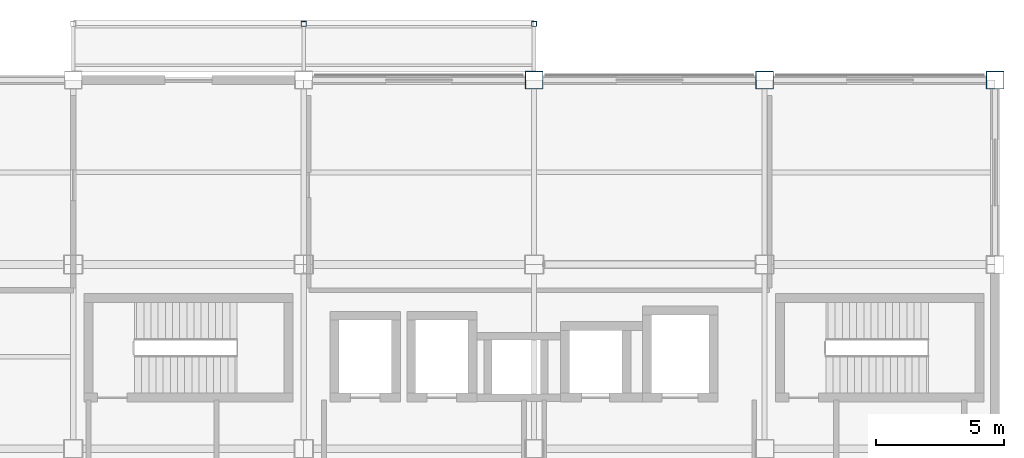
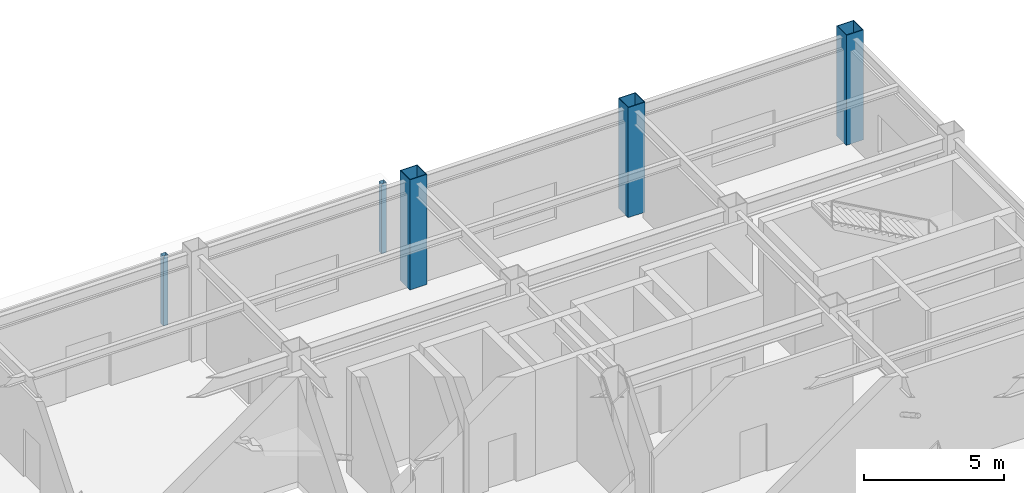
# One storey, part 12 of 112: 5 columns.
"""IFC4 building model written with IfcOpenShell, lengths in metres."""

from ifc_helpers import new_model, si_unit, direction, frame, origin, origin_2d, place, context, subcontext, project, spatial, hollow_rectangle, extrude, material, material_profile, profile_set, type_object, element, save


model = new_model("IFC4")

# Units and contexts
model_context = context("Model", 3, precision=1e-05, world=origin(), true_north=direction((0.0, 1.0)))
body_context = subcontext(model_context, "Body", "Model", "MODEL_VIEW")
ifc_project = project(units=[si_unit("LENGTHUNIT", "METRE"), si_unit("AREAUNIT", "SQUARE_METRE"), si_unit("VOLUMEUNIT", "CUBIC_METRE"), si_unit("PLANEANGLEUNIT", "RADIAN"), si_unit("MASSUNIT", "GRAM", prefix="KILO")], contexts=[model_context])

# Site, building, storey
site_placement = place(None, origin())
site = spatial("IfcSite", under=ifc_project, at=site_placement, CompositionType="ELEMENT")
building_placement = place(site_placement, origin())
building = spatial("IfcBuilding", under=site, at=building_placement, Name="Kazanami Central Library", CompositionType="ELEMENT")
storey_placement = place(building_placement, origin())
storey = spatial("IfcBuildingStorey", under=building, at=storey_placement, Name="L01", CompositionType="ELEMENT", Elevation=0.0)

# Columns
ifc_material_1 = material(Name="Steel BCP325 (325 MPa)", Category="steel")
ifc_material_profile_1 = material_profile(ifc_material_1, hollow_rectangle(XDim=0.699951171875, YDim=0.699951171875, WallThickness=0.028076171875, at=origin_2d()), Name="BCP-700x700x28")
ifc_profile_set_1 = profile_set([ifc_material_profile_1], Name="Steel BCP325 (325 MPa)")
column_type_1 = type_object("IfcColumnType", Name="COL-C-T1P", PredefinedType="COLUMN", material=ifc_profile_set_1)
for number, where, z_axis, x_axis, name in (
    (1, (144.0, 93.60009765625, 0.0), (0.0, 0.0, 1.0), (1.0, 0.0, 0.0), "Column C-T1P L01 17/O"),
    (2, (153.0, 93.60009765625, 0.0), (0.0, 0.0, 1.0), (1.0, 0.0, 0.0), "Column C-T1P L01 18/O"),
    (3, (162.0, 93.60009765625, 0.0), (0.0, 0.0, 1.0), (1.0, 0.0, 0.0), "Column C-T1P L01 19/O"),
):
    element("IfcColumn", number, at=place(storey_placement, frame(where, z_axis=z_axis, x_axis=x_axis)), inside=storey, type_object=column_type_1, Name=name, PredefinedType="COLUMN", context=body_context, shape_type="SweptSolid", body=[
        extrude(hollow_rectangle(XDim=0.699951171875, YDim=0.699951171875, WallThickness=0.028076171875, at=origin_2d()), origin(), (0.0, 0.0, 1.0), 4.800048828125),
    ])
ifc_material_2 = material(Name="Steel STK490 (315 MPa)", Category="steel")
ifc_material_profile_2 = material_profile(ifc_material_2, hollow_rectangle(XDim=0.199951171875, YDim=0.199951171875, WallThickness=0.009033203125, at=origin_2d()), Name="STKR-200x200x9")
ifc_profile_set_2 = profile_set([ifc_material_profile_2], Name="Steel STK490 (315 MPa)")
column_type_2 = type_object("IfcColumnType", Name="COL-CAN-200", PredefinedType="COLUMN", material=ifc_profile_set_2)
for number, where, z_axis, x_axis, name in (
    (4, (135.0, 95.800048828125, 0.0), (0.0, 0.0, 1.0), (1.0, 0.0, 0.0), "Canopy Post CAN-V2-NORTH X=135"),
    (5, (144.0, 95.800048828125, 0.0), (0.0, 0.0, 1.0), (1.0, 0.0, 0.0), "Canopy Post CAN-V2-NORTH X=144"),
):
    element("IfcColumn", number, at=place(storey_placement, frame(where, z_axis=z_axis, x_axis=x_axis)), inside=storey, type_object=column_type_2, Name=name, PredefinedType="COLUMN", context=body_context, shape_type="SweptSolid", body=[
        extrude(hollow_rectangle(XDim=0.199951171875, YDim=0.199951171875, WallThickness=0.009033203125, at=origin_2d()), origin(), (0.0, 0.0, 1.0), 3.050048828125),
    ])

save(model, "model.ifc")
